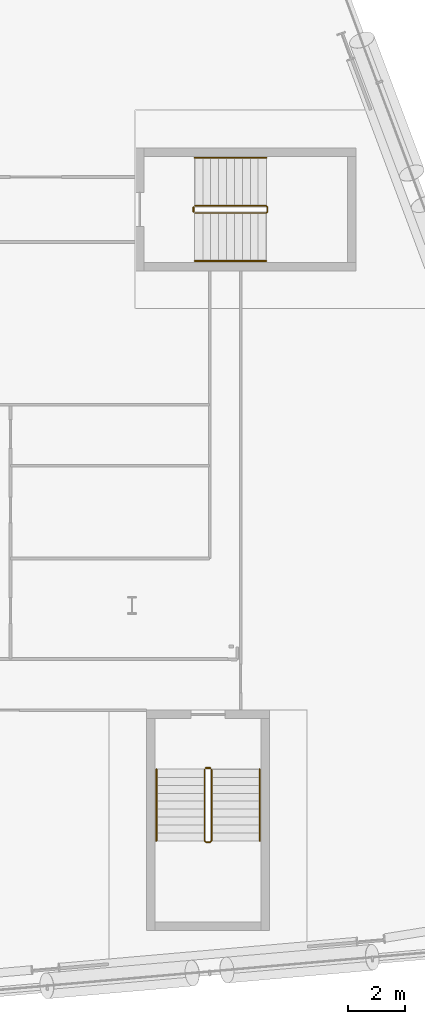
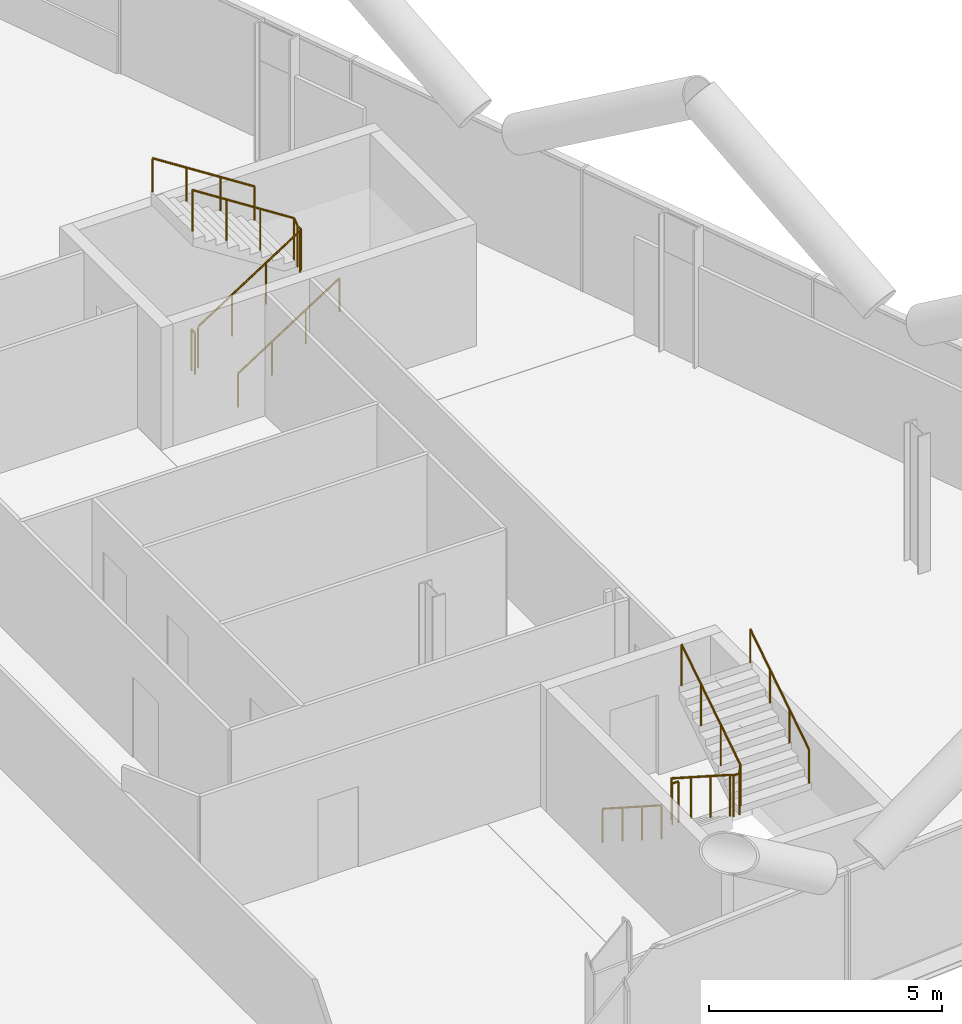
# One storey, part 25 of 25: 8 railings.
"""IFC4 building model written with IfcOpenShell, lengths in metres."""

from ifc_helpers import new_model, si_unit, direction, frame, origin, origin_2d, place, context, subcontext, project, spatial, circle, extrude, material, type_object, element, save


model = new_model("IFC4")

# Units and contexts
model_context = context("Model", 3, precision=1e-05, world=origin(), true_north=direction((0.0, 1.0)))
body_context = subcontext(model_context, "Body", "Model", "MODEL_VIEW")
ifc_project = project(units=[si_unit("LENGTHUNIT", "METRE"), si_unit("AREAUNIT", "SQUARE_METRE"), si_unit("VOLUMEUNIT", "CUBIC_METRE"), si_unit("PLANEANGLEUNIT", "RADIAN"), si_unit("MASSUNIT", "GRAM", prefix="KILO")], contexts=[model_context])

# Site, building, storey
site_placement = place(None, origin())
site = spatial("IfcSite", under=ifc_project, at=site_placement, CompositionType="ELEMENT")
building_placement = place(site_placement, origin())
building = spatial("IfcBuilding", under=site, at=building_placement, Name="Wharfspan Tower", CompositionType="ELEMENT")
storey_placement = place(building_placement, frame((0.0, 0.0, 63.100098)))
storey = spatial("IfcBuildingStorey", under=building, at=storey_placement, Name="L12", CompositionType="ELEMENT", Elevation=63.100098)

# Railings
ifc_material = material(Name="Steel S355J2", Category="steel")
railing_type_1 = type_object("IfcRailingType", Name="Stair guard 1100", PredefinedType="GUARDRAIL", material=ifc_material)
railing_1_placement = place(storey_placement, frame((74.567383, 5.691895, 0.179932)))
element("IfcRailing", 1, at=railing_1_placement, inside=storey, type_object=railing_type_1, Name="L12 ST5 stair guard 1", PredefinedType="GUARDRAIL", context=body_context, shape_type="SweptSolid", body=[
    extrude(circle(Radius=0.023926, at=origin_2d()), frame((0.0, 0.0, 1.076172), z_axis=(0.0, -0.841176, 0.540762), x_axis=(1.0, 0.0, 0.0)), (0.0, 0.0, 1.0), 2.995605),
    extrude(circle(Radius=0.023926, at=origin_2d()), frame((0.0, -2.519775, 2.695801), z_axis=(0.707107, -0.707107, 0.0), x_axis=(0.707107, 0.707107, 0.0)), (0.0, 0.0, 1.0), 0.070801),
    extrude(circle(Radius=0.023926, at=origin_2d()), frame((0.050049, -2.569824, 2.695801), z_axis=(1.0, 0.0, 0.0), x_axis=(0.0, 1.0, 0.0)), (0.0, 0.0, 1.0), 0.150146),
    extrude(circle(Radius=0.023926, at=origin_2d()), frame((0.200195, -2.569824, 2.695801), z_axis=(0.257366, 0.258628, 0.931061), x_axis=(-0.708838, 0.705372, 2e-06)), (0.0, 0.0, 1.0), 0.193604),
    extrude(circle(Radius=0.023926, at=origin_2d()), frame((0.25, -2.519775, 2.875977), z_axis=(0.0, 0.841176, 0.540762), x_axis=(-1.0, 0.0, 0.0)), (0.0, 0.0, 1.0), 2.995605),
    extrude(circle(Radius=0.020996, at=origin_2d()), origin(), (0.0, 0.0, 1.0), 1.052002),
    extrude(circle(Radius=0.020996, at=origin_2d()), frame((0.0, -0.839844, 0.540039)), (0.0, 0.0, 1.0), 1.052002),
    extrude(circle(Radius=0.020996, at=origin_2d()), frame((0.0, -1.679932, 1.079834)), (0.0, 0.0, 1.0), 1.052002),
    extrude(circle(Radius=0.020996, at=origin_2d()), frame((0.0, -2.519775, 1.619873)), (0.0, 0.0, 1.0), 1.052002),
    extrude(circle(Radius=0.020996, at=origin_2d()), frame((0.050049, -2.569824, 1.619873)), (0.0, 0.0, 1.0), 1.052002),
    extrude(circle(Radius=0.020996, at=origin_2d()), frame((0.200195, -2.569824, 1.619873)), (0.0, 0.0, 1.0), 1.052002),
    extrude(circle(Radius=0.020996, at=origin_2d()), frame((0.25, -2.519775, 1.800049)), (0.0, 0.0, 1.0), 1.052002),
    extrude(circle(Radius=0.020996, at=origin_2d()), frame((0.25, -1.679932, 2.340088)), (0.0, 0.0, 1.0), 1.052002),
    extrude(circle(Radius=0.020996, at=origin_2d()), frame((0.25, -0.839844, 2.879883)), (0.0, 0.0, 1.0), 1.052002),
    extrude(circle(Radius=0.020996, at=origin_2d()), frame((0.25, 0.0, 3.419922)), (0.0, 0.0, 1.0), 1.052002),
])
railing_2_placement = place(storey_placement, frame((74.617432, 5.741943, 0.0)))
element("IfcRailing", 2, at=railing_2_placement, inside=storey, type_object=railing_type_1, Name="L12 ST5 stair guard 2", PredefinedType="GUARDRAIL", context=body_context, shape_type="SweptSolid", body=[
    extrude(circle(Radius=0.023926, at=origin_2d()), frame((0.0, 0.0, 1.076172), z_axis=(1.0, 0.0, 0.0), x_axis=(0.0, 1.0, 0.0)), (0.0, 0.0, 1.0), 0.150146),
    extrude(circle(Radius=0.020996, at=origin_2d()), origin(), (0.0, 0.0, 1.0), 1.052002),
    extrude(circle(Radius=0.020996, at=origin_2d()), frame((0.150146, 0.0, 0.0)), (0.0, 0.0, 1.0), 1.052002),
])
railing_3_placement = place(storey_placement, frame((74.225098, 25.375, 0.179932)))
element("IfcRailing", 3, at=railing_3_placement, inside=storey, type_object=railing_type_1, Name="L12 ST6 stair guard 1", PredefinedType="GUARDRAIL", context=body_context, shape_type="SweptSolid", body=[
    extrude(circle(Radius=0.023926, at=origin_2d()), frame((0.0, 0.0, 1.076172), z_axis=(0.8412, 0.0, 0.540725), x_axis=(0.0, 1.0, 0.0)), (0.0, 0.0, 1.0), 2.99585),
    extrude(circle(Radius=0.023926, at=origin_2d()), frame((2.52002, 0.0, 2.695801), z_axis=(0.705376, 0.708834, 0.0), x_axis=(-0.708834, 0.705376, 0.0)), (0.0, 0.0, 1.0), 0.070557),
    extrude(circle(Radius=0.023926, at=origin_2d()), frame((2.569824, 0.050049, 2.695801), z_axis=(0.0, 1.0, 0.0), x_axis=(-1.0, 0.0, 0.0)), (0.0, 0.0, 1.0), 0.149902),
    extrude(circle(Radius=0.023926, at=origin_2d()), frame((2.569824, 0.199951, 2.695801), z_axis=(-0.257366, 0.258628, 0.931061), x_axis=(-0.708838, -0.705372, -2e-06)), (0.0, 0.0, 1.0), 0.193604),
    extrude(circle(Radius=0.023926, at=origin_2d()), frame((2.52002, 0.25, 2.875977), z_axis=(-0.8412, 0.0, 0.540725), x_axis=(0.0, -1.0, 0.0)), (0.0, 0.0, 1.0), 2.99585),
    extrude(circle(Radius=0.020996, at=origin_2d()), origin(), (0.0, 0.0, 1.0), 1.052002),
    extrude(circle(Radius=0.020996, at=origin_2d()), frame((0.840088, 0.0, 0.540039)), (0.0, 0.0, 1.0), 1.052002),
    extrude(circle(Radius=0.020996, at=origin_2d()), frame((1.679932, 0.0, 1.079834)), (0.0, 0.0, 1.0), 1.052002),
    extrude(circle(Radius=0.020996, at=origin_2d()), frame((2.52002, 0.0, 1.619873)), (0.0, 0.0, 1.0), 1.052002),
    extrude(circle(Radius=0.020996, at=origin_2d()), frame((2.569824, 0.050049, 1.619873)), (0.0, 0.0, 1.0), 1.052002),
    extrude(circle(Radius=0.020996, at=origin_2d()), frame((2.569824, 0.199951, 1.619873)), (0.0, 0.0, 1.0), 1.052002),
    extrude(circle(Radius=0.020996, at=origin_2d()), frame((2.52002, 0.25, 1.800049)), (0.0, 0.0, 1.0), 1.052002),
    extrude(circle(Radius=0.020996, at=origin_2d()), frame((1.679932, 0.25, 2.340088)), (0.0, 0.0, 1.0), 1.052002),
    extrude(circle(Radius=0.020996, at=origin_2d()), frame((0.840088, 0.25, 2.879883)), (0.0, 0.0, 1.0), 1.052002),
    extrude(circle(Radius=0.020996, at=origin_2d()), frame((0.0, 0.25, 3.419922)), (0.0, 0.0, 1.0), 1.052002),
])
railing_4_placement = place(storey_placement, frame((74.175049, 25.425049, 0.0)))
element("IfcRailing", 4, at=railing_4_placement, inside=storey, type_object=railing_type_1, Name="L12 ST6 stair guard 2", PredefinedType="GUARDRAIL", context=body_context, shape_type="SweptSolid", body=[
    extrude(circle(Radius=0.023926, at=origin_2d()), frame((0.0, 0.0, 1.076172), z_axis=(0.0, 1.0, 0.0), x_axis=(-1.0, 0.0, 0.0)), (0.0, 0.0, 1.0), 0.149902),
    extrude(circle(Radius=0.020996, at=origin_2d()), origin(), (0.0, 0.0, 1.0), 1.052002),
    extrude(circle(Radius=0.020996, at=origin_2d()), frame((0.0, 0.149902, 0.0)), (0.0, 0.0, 1.0), 1.052002),
])
railing_type_2 = type_object("IfcRailingType", Name="Stair handrail 900", PredefinedType="HANDRAIL", material=ifc_material)
railing_5_placement = place(storey_placement, frame((72.867432, 5.691895, 0.179932)))
element("IfcRailing", 5, at=railing_5_placement, inside=storey, type_object=railing_type_2, Name="L12 ST5 stair handrail 1", PredefinedType="HANDRAIL", context=body_context, shape_type="SweptSolid", body=[
    extrude(circle(Radius=0.023926, at=origin_2d()), frame((0.0, 0.0, 0.875977), z_axis=(0.0, -0.841176, 0.540762), x_axis=(1.0, 0.0, 0.0)), (0.0, 0.0, 1.0), 2.995605),
    extrude(circle(Radius=0.020996, at=origin_2d()), origin(), (0.0, 0.0, 1.0), 0.851807),
    extrude(circle(Radius=0.020996, at=origin_2d()), frame((0.0, -0.839844, 0.540039)), (0.0, 0.0, 1.0), 0.851807),
    extrude(circle(Radius=0.020996, at=origin_2d()), frame((0.0, -1.679932, 1.079834)), (0.0, 0.0, 1.0), 0.851807),
    extrude(circle(Radius=0.020996, at=origin_2d()), frame((0.0, -2.519775, 1.619873)), (0.0, 0.0, 1.0), 0.851807),
])
railing_6_placement = place(storey_placement, frame((76.517578, 3.172119, 1.97998)))
element("IfcRailing", 6, at=railing_6_placement, inside=storey, type_object=railing_type_2, Name="L12 ST5 stair handrail 2", PredefinedType="HANDRAIL", context=body_context, shape_type="SweptSolid", body=[
    extrude(circle(Radius=0.023926, at=origin_2d()), frame((0.0, 0.0, 0.875977), z_axis=(0.0, 0.841176, 0.540762), x_axis=(-1.0, 0.0, 0.0)), (0.0, 0.0, 1.0), 2.995605),
    extrude(circle(Radius=0.020996, at=origin_2d()), origin(), (0.0, 0.0, 1.0), 0.851807),
    extrude(circle(Radius=0.020996, at=origin_2d()), frame((0.0, 0.839844, 0.540039)), (0.0, 0.0, 1.0), 0.851807),
    extrude(circle(Radius=0.020996, at=origin_2d()), frame((0.0, 1.679932, 1.079834)), (0.0, 0.0, 1.0), 0.851807),
    extrude(circle(Radius=0.020996, at=origin_2d()), frame((0.0, 2.519775, 1.619873)), (0.0, 0.0, 1.0), 0.851807),
])
railing_7_placement = place(storey_placement, frame((74.225098, 23.675049, 0.179932)))
element("IfcRailing", 7, at=railing_7_placement, inside=storey, type_object=railing_type_2, Name="L12 ST6 stair handrail 1", PredefinedType="HANDRAIL", context=body_context, shape_type="SweptSolid", body=[
    extrude(circle(Radius=0.023926, at=origin_2d()), frame((0.0, 0.0, 0.875977), z_axis=(0.8412, 0.0, 0.540725), x_axis=(0.0, 1.0, 0.0)), (0.0, 0.0, 1.0), 2.99585),
    extrude(circle(Radius=0.020996, at=origin_2d()), origin(), (0.0, 0.0, 1.0), 0.851807),
    extrude(circle(Radius=0.020996, at=origin_2d()), frame((0.840088, 0.0, 0.540039)), (0.0, 0.0, 1.0), 0.851807),
    extrude(circle(Radius=0.020996, at=origin_2d()), frame((1.679932, 0.0, 1.079834)), (0.0, 0.0, 1.0), 0.851807),
    extrude(circle(Radius=0.020996, at=origin_2d()), frame((2.52002, 0.0, 1.619873)), (0.0, 0.0, 1.0), 0.851807),
])
railing_8_placement = place(storey_placement, frame((76.745117, 27.324951, 1.97998)))
element("IfcRailing", 8, at=railing_8_placement, inside=storey, type_object=railing_type_2, Name="L12 ST6 stair handrail 2", PredefinedType="HANDRAIL", context=body_context, shape_type="SweptSolid", body=[
    extrude(circle(Radius=0.023926, at=origin_2d()), frame((0.0, 0.0, 0.875977), z_axis=(-0.8412, 0.0, 0.540725), x_axis=(0.0, -1.0, 0.0)), (0.0, 0.0, 1.0), 2.99585),
    extrude(circle(Radius=0.020996, at=origin_2d()), origin(), (0.0, 0.0, 1.0), 0.851807),
    extrude(circle(Radius=0.020996, at=origin_2d()), frame((-0.840088, 0.0, 0.540039)), (0.0, 0.0, 1.0), 0.851807),
    extrude(circle(Radius=0.020996, at=origin_2d()), frame((-1.679932, 0.0, 1.079834)), (0.0, 0.0, 1.0), 0.851807),
    extrude(circle(Radius=0.020996, at=origin_2d()), frame((-2.52002, 0.0, 1.619873)), (0.0, 0.0, 1.0), 0.851807),
])

save(model, "model.ifc")
